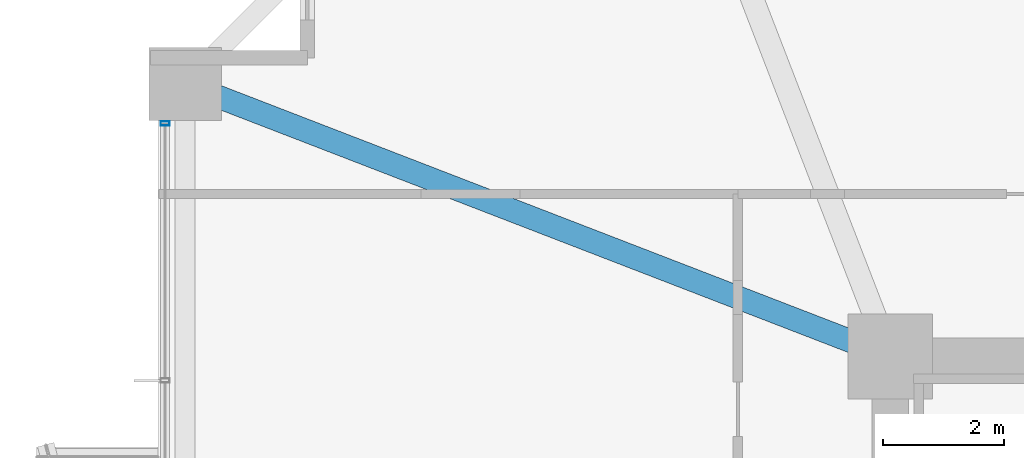
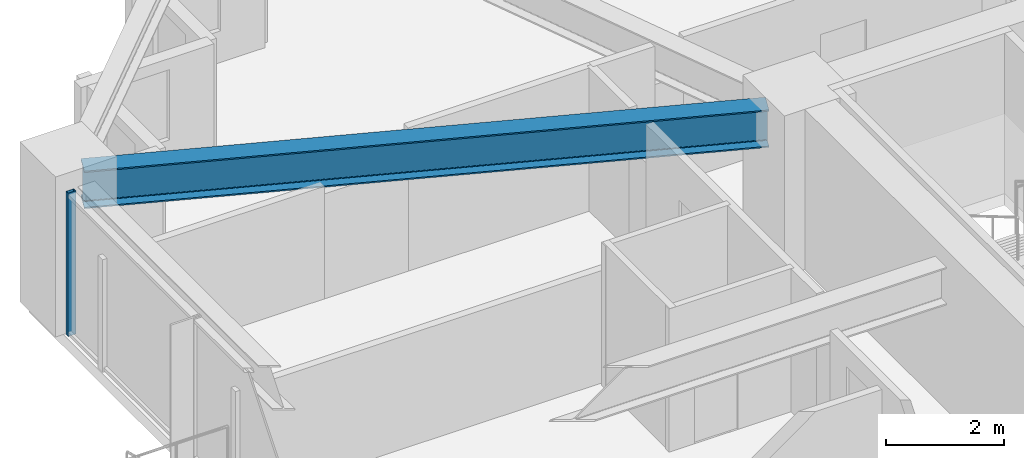
# One storey, part 19 of 38: 1 beam, 1 member, 1 element without a shape of its own.
"""IFC4 building model written with IfcOpenShell, lengths in metres."""

from ifc_helpers import new_model, si_unit, direction, frame, origin, origin_2d, place, context, subcontext, project, spatial, hollow_rectangle, i_section, extrude, material, material_profile, profile_set, type_object, element, aggregate, save


model = new_model("IFC4")

# Units and contexts
model_context = context("Model", 3, precision=1e-05, world=origin(), true_north=direction((0.0, 1.0)))
body_context = subcontext(model_context, "Body", "Model", "MODEL_VIEW")
ifc_project = project(units=[si_unit("LENGTHUNIT", "METRE"), si_unit("AREAUNIT", "SQUARE_METRE"), si_unit("VOLUMEUNIT", "CUBIC_METRE"), si_unit("PLANEANGLEUNIT", "RADIAN"), si_unit("MASSUNIT", "GRAM", prefix="KILO")], contexts=[model_context])

# Site, building, storey
site_placement = place(None, origin())
site = spatial("IfcSite", under=ifc_project, at=site_placement, CompositionType="ELEMENT")
building_placement = place(site_placement, origin())
building = spatial("IfcBuilding", under=site, at=building_placement, Name="Kolvaren Belvedere", CompositionType="ELEMENT")
storey_placement = place(building_placement, frame((0.0, 0.0, 60.10009765625)))
storey = spatial("IfcBuildingStorey", under=building, at=storey_placement, Name="L17", CompositionType="ELEMENT", Elevation=60.10009765625)

# Beam
ifc_material_1 = material(Name="Structural steel ASTM A992 Grade 50", Category="steel")
ifc_material_profile_1 = material_profile(ifc_material_1, i_section(OverallWidth=0.381103515625, OverallDepth=0.77294921875, WebThickness=0.0166015625, FlangeThickness=0.027099609375, FilletRadius=0.02392578125, at=origin_2d()), Name="W30X173")
ifc_profile_set_1 = profile_set([ifc_material_profile_1], Name="Structural steel ASTM A992 Grade 50")
beam_type = type_object("IfcBeamType", Name="BM-GIRD-W30X173", PredefinedType="BEAM", material=ifc_profile_set_1)
beam_placement = place(storey_placement, frame((-10.4130859375, 10.09814453125, 2.5634765625), z_axis=(-0.932829382313, 0.360318391835, 0.0), x_axis=(-0.360318391835, -0.932829382313, 0.0)))
element("IfcBeam", 1, at=beam_placement, inside=storey, type_object=beam_type, Name="L17 Corner Core-to-Perimeter Girder CC4-W4", PredefinedType="BEAM", context=body_context, shape_type="SweptSolid", body=[
    extrude(i_section(OverallWidth=0.381103515625, OverallDepth=0.77294921875, WebThickness=0.0166015625, FlangeThickness=0.027099609375, FilletRadius=0.02392578125, at=origin_2d()), origin(), (0.0, 0.0, 1.0), 11.698974609375),
])

# Curtain wall, member
ifc_material_2 = material(Name="Anodised pale-metal aluminium AA 6063-T6", Category="aluminium")
curtain_wall_type = type_object("IfcCurtainWallType", Name="CW-Z1-LOW", PredefinedType="NOTDEFINED", material=ifc_material_2)
curtain_wall_placement = place(storey_placement, origin())
curtain_wall = element("IfcCurtainWall", 2, at=curtain_wall_placement, inside=storey, type_object=curtain_wall_type, Name="L17 Unitised Curtain Wall FCW-L17-W2-B2", PredefinedType="NOTDEFINED")
ifc_material_3 = material(Name="Anodised pale-metal aluminium AA 6063-T6", Category="aluminium")
ifc_material_profile_2 = material_profile(ifc_material_3, hollow_rectangle(XDim=0.070068359375, YDim=0.14990234375, WallThickness=0.004150390625, at=origin_2d()), Name="ALU-MUL-150X70")
ifc_profile_set_2 = profile_set([ifc_material_profile_2], Name="Anodised pale-metal aluminium AA 6063-T6")
member_type = type_object("IfcMemberType", Name="CW-MUL-150", PredefinedType="MULLION", material=ifc_profile_set_2)
member_placement = place(storey_placement, frame((-21.8798828125, 13.7451171875, 0.0), z_axis=(0.0, 0.0, 1.0), x_axis=(0.0, 1.0, 0.0)))
member = element("IfcMember", 3, at=member_placement, type_object=member_type, Name="FCW-L17-W2-B2 Unitised Mullion 3", PredefinedType="MULLION", context=body_context, shape_type="SweptSolid", body=[
    extrude(hollow_rectangle(XDim=0.070068359375, YDim=0.14990234375, WallThickness=0.004150390625, at=origin_2d()), origin(), (0.0, 0.0, 1.0), 2.949951171875),
])
aggregate(curtain_wall, [member])

save(model, "model.ifc")
